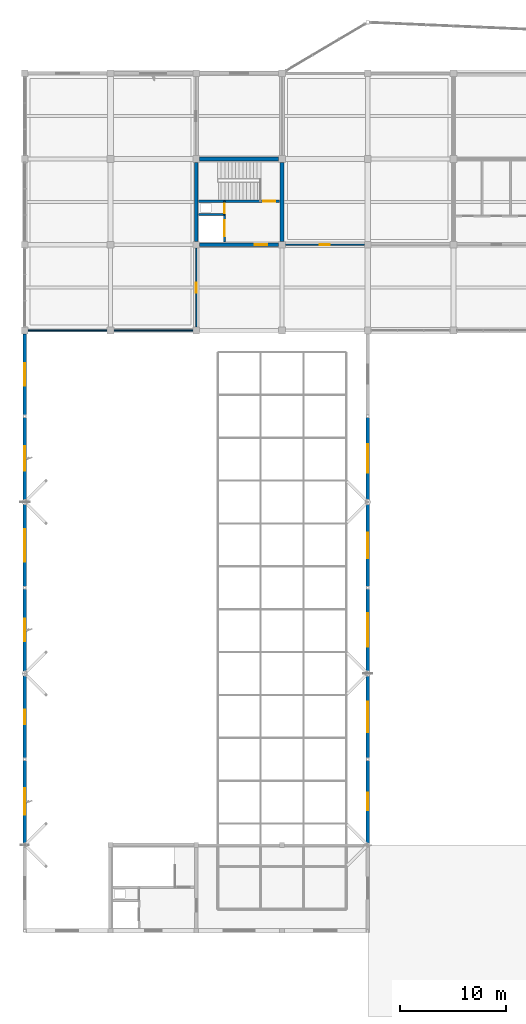
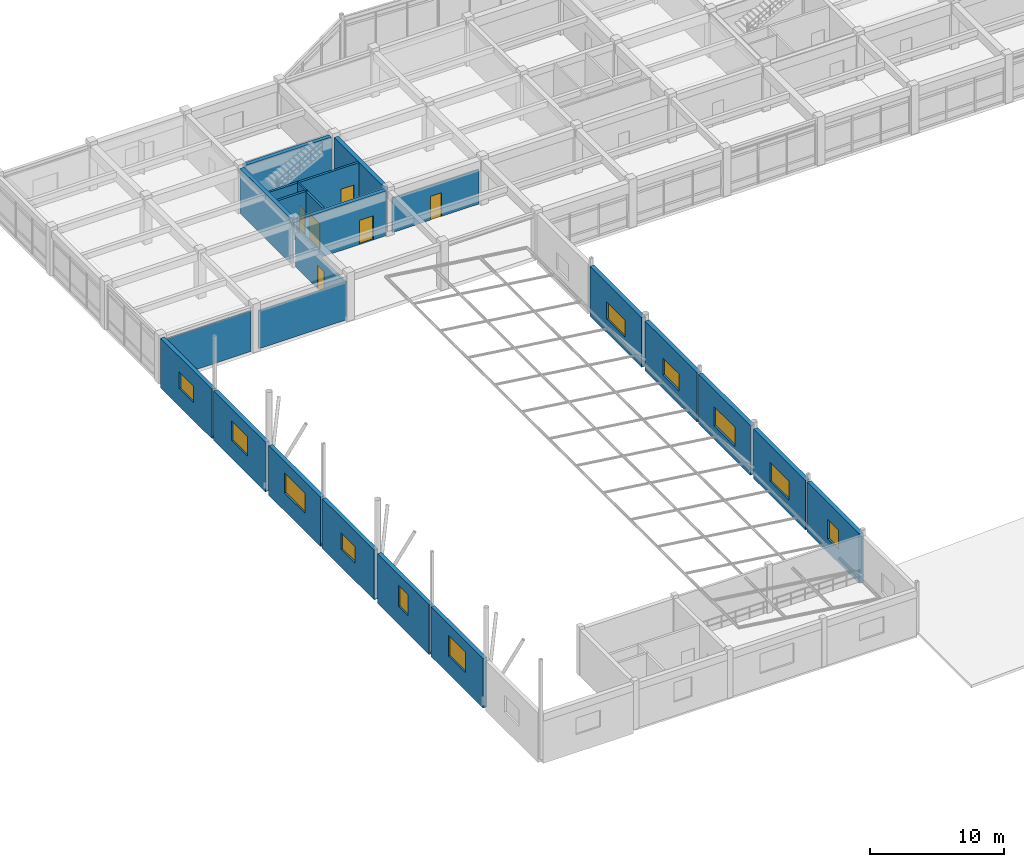
# One storey, part 66 of 89: 23 walls, 11 windows, 6 doors, 17 openings.
"""IFC4 building model written with IfcOpenShell, lengths in metres."""

import ifcopenshell
import ifcopenshell.guid

model = None  # the IFC model being written
_history = None  # IfcOwnerHistory: only IFC2X3 demands one
_inside = {}  # id of a spatial element -> (the spatial element, [elements in it])
_under = {}  # id of a project, library or spatial element -> (it, [spatial elements below it])
_declared = {}  # id of a project -> (the project, [libraries it declares])
_typed = {}  # id of a type object -> (the type object, [elements of that type])
_made_of = {}  # id of a material, layer set ... -> (it, [elements and type objects made of it])


def new_model(schema):
    """Start an empty IFC model of exactly this schema.

    Asked for "IFC4X3", IfcOpenShell would pick the latest addendum, in which some entities
    have other attributes; the version numbers below select the first issue.
    IFC2X3 requires an IfcOwnerHistory on every rooted entity: one is made here for all.
    """
    global model, _history
    if schema == "IFC4X3":
        model = ifcopenshell.file(schema_version=(4, 3, 0, 0))
    else:
        model = ifcopenshell.file(schema=schema)
    _inside.clear()
    _under.clear()
    _declared.clear()
    _typed.clear()
    _made_of.clear()
    _history = None
    if model.schema == "IFC2X3":
        org = make("IfcOrganization", Name="unknown")
        user = make(
            "IfcPersonAndOrganization",
            ThePerson=make("IfcPerson", FamilyName="unknown"),
            TheOrganization=org,
        )
        app = make(
            "IfcApplication",
            ApplicationDeveloper=org,
            Version="unknown",
            ApplicationFullName="unknown",
            ApplicationIdentifier="unknown",
        )
        _history = make(
            "IfcOwnerHistory",
            OwningUser=user,
            OwningApplication=app,
            ChangeAction="ADDED",
            CreationDate=0,
        )
    return model


def make(cls, **values):
    """One entity of the class cls with the attributes given. An attribute that is None is left unset."""
    return model.create_entity(
        cls, **{name: value for name, value in values.items() if value is not None}
    )


def rooted(cls, **values):
    """An entity with a GlobalId (a new one), such as an element, a storey or a relation."""
    return make(cls, GlobalId=ifcopenshell.guid.new(), OwnerHistory=_history, **values)


def si_unit(unit_type, name, prefix=None):
    """IfcSIUnit, for example si_unit("LENGTHUNIT", "METRE", prefix="MILLI")."""
    return make("IfcSIUnit", UnitType=unit_type, Prefix=prefix, Name=name)


def assignment(units):
    """IfcUnitAssignment: the units of a project."""
    return None if units is None else make("IfcUnitAssignment", Units=units)


def point(xyz):
    """IfcCartesianPoint."""
    return None if xyz is None else make("IfcCartesianPoint", Coordinates=xyz)


def direction(xyz):
    """IfcDirection."""
    return None if xyz is None else make("IfcDirection", DirectionRatios=xyz)


def frame(location, z_axis=None, x_axis=None):
    """IfcAxis2Placement3D, a coordinate frame: its origin and axes. An axis left out is left unset."""
    return make(
        "IfcAxis2Placement3D",
        Location=point(location),
        Axis=direction(z_axis),
        RefDirection=direction(x_axis),
    )


def frame_2d(location, x_axis=None):
    """IfcAxis2Placement2D, a coordinate frame in the plane: its origin and x axis."""
    return make(
        "IfcAxis2Placement2D", Location=point(location), RefDirection=direction(x_axis)
    )


def origin():
    """The frame at (0, 0, 0) with its axes left unset."""
    return frame((0.0, 0.0, 0.0))


def place(relative_to, where):
    """IfcLocalPlacement: puts the frame where relative to a parent placement (None: the world)."""
    return make(
        "IfcLocalPlacement", PlacementRelTo=relative_to, RelativePlacement=where
    )


def context(
    kind, dimensions, precision=None, world=None, true_north=None, identifier=None
):
    """IfcGeometricRepresentationContext, for example the 3D "Model" context."""
    return make(
        "IfcGeometricRepresentationContext",
        ContextIdentifier=identifier,
        ContextType=kind,
        CoordinateSpaceDimension=dimensions,
        Precision=precision,
        WorldCoordinateSystem=world,
        TrueNorth=true_north,
    )


def subcontext(parent, identifier, kind, view, scale=None):
    """IfcGeometricRepresentationSubContext, for example "Body" below "Model"."""
    return make(
        "IfcGeometricRepresentationSubContext",
        ContextIdentifier=identifier,
        ContextType=kind,
        ParentContext=parent,
        TargetScale=scale,
        TargetView=view,
    )


def project(units=None, contexts=None):
    """IfcProject with its units and contexts."""
    return rooted(
        "IfcProject",
        Name="project",
        RepresentationContexts=contexts,
        UnitsInContext=assignment(units),
    )


def spatial(cls, under=None, at=None, **own):
    """A site, building, storey or space (cls), placed at a placement, below another one or the project."""
    s = rooted(cls, ObjectPlacement=at, **own)
    if under is not None:
        _under.setdefault(under.id(), (under, []))[1].append(s)
    return s


def profile(cls, at=None, kind="AREA", **sizes):
    """A parametric profile (cls). Its sizes go by their IFC names, for example OverallWidth=200.0."""
    return make(cls, ProfileType=kind, Position=at, **sizes)


def rectangle(**sizes):
    """IfcRectangleProfileDef."""
    return profile("IfcRectangleProfileDef", **sizes)


def extrude(swept, where, along, depth):
    """IfcExtrudedAreaSolid: the profile swept, set in the frame where, extruded along a direction by depth."""
    return make(
        "IfcExtrudedAreaSolid",
        SweptArea=swept,
        Position=where,
        ExtrudedDirection=direction(along),
        Depth=depth,
    )


def shape(context_of_items, identifier, shape_type, items):
    """IfcShapeRepresentation: the items that make up one representation, for example the "Body"."""
    return make(
        "IfcShapeRepresentation",
        ContextOfItems=context_of_items,
        RepresentationIdentifier=identifier,
        RepresentationType=shape_type,
        Items=items,
    )


def material(Name=None, Category=None):
    """IfcMaterial."""
    return make("IfcMaterial", Name=Name, Category=Category)


def layer(
    of_material, thickness, ventilated=None, Name=None, Category=None, Priority=None
):
    """IfcMaterialLayer: one layer of a wall or slab, of a material (None: an air gap)."""
    return make(
        "IfcMaterialLayer",
        Material=of_material,
        LayerThickness=thickness,
        IsVentilated=ventilated,
        Name=Name,
        Category=Category,
        Priority=Priority,
    )


def layer_set(layers, Name=None):
    """IfcMaterialLayerSet."""
    return make("IfcMaterialLayerSet", MaterialLayers=layers, LayerSetName=Name)


def made_of(thing, what):
    """Note that an element or type object is made of a material, layer set ...; save() writes the relation."""
    if what is not None:
        _made_of.setdefault(what.id(), (what, []))[1].append(thing)
    return thing


def type_object(cls, material=None, **own):
    """A type object (cls), such as IfcWallType, which elements share."""
    return made_of(rooted(cls, **own), material)


def element(
    cls,
    number,
    at=None,
    inside=None,
    cuts=None,
    type_object=None,
    material=None,
    context=None,
    identifier="Body",
    shape_type=None,
    held_by="IfcProductDefinitionShape",
    body=None,
    shapes=None,
    **own,
):
    """One element of the class cls, such as IfcWall. Its Tag is "e" and its number.

    at: its placement. inside: the storey or other place that contains it. cuts: it is an
    opening in that element (IfcRelVoidsElement). A single representation is given by context,
    identifier, shape_type and body (its items); several are given by shapes. held_by: the class
    of the entity that holds the representations. save() writes the other relations.
    """
    e = rooted(cls, Tag="e%d" % number, ObjectPlacement=at, **own)
    if body is not None:
        shapes = [shape(context, identifier, shape_type, body)]
    if shapes is not None:
        e.Representation = make(held_by, Representations=shapes)
    if inside is not None:
        _inside.setdefault(inside.id(), (inside, []))[1].append(e)
    if cuts is not None:
        rooted(
            "IfcRelVoidsElement", RelatingBuildingElement=cuts, RelatedOpeningElement=e
        )
    if type_object is not None:
        _typed.setdefault(type_object.id(), (type_object, []))[1].append(e)
    return made_of(e, material)


def fill(opening, filler):
    """IfcRelFillsElement: the door or window that sits in an opening."""
    return rooted(
        "IfcRelFillsElement",
        RelatingOpeningElement=opening,
        RelatedBuildingElement=filler,
    )


def aggregate(whole, parts):
    """IfcRelAggregates: a whole, such as a stair, and the parts it consists of."""
    return rooted("IfcRelAggregates", RelatingObject=whole, RelatedObjects=parts)


def save(model, path):
    """Write the relations noted so far, then the file.

    IfcRelAggregates (storeys below a building ...), IfcRelContainedInSpatialStructure (elements
    in a storey), IfcRelDefinesByType, IfcRelAssociatesMaterial and IfcRelDeclares: one each for
    every whole, place, type object, material and project.
    """
    for whole, parts in _under.values():
        aggregate(whole, parts)
    for where, things in _inside.values():
        rooted(
            "IfcRelContainedInSpatialStructure",
            RelatedElements=things,
            RelatingStructure=where,
        )
    for kind, things in _typed.values():
        rooted("IfcRelDefinesByType", RelatedObjects=things, RelatingType=kind)
    for what, things in _made_of.values():
        rooted("IfcRelAssociatesMaterial", RelatedObjects=things, RelatingMaterial=what)
    for by, libraries in _declared.values():
        rooted("IfcRelDeclares", RelatingContext=by, RelatedDefinitions=libraries)
    model.write(path)


model = new_model("IFC4")

# Units and contexts
model_context = context("Model", 3, precision=1e-05, world=origin(), true_north=direction((0.0, 1.0)))
body_context = subcontext(model_context, "Body", "Model", "MODEL_VIEW")
ifc_project = project(units=[si_unit("LENGTHUNIT", "METRE"), si_unit("AREAUNIT", "SQUARE_METRE"), si_unit("VOLUMEUNIT", "CUBIC_METRE"), si_unit("PLANEANGLEUNIT", "RADIAN"), si_unit("MASSUNIT", "GRAM", prefix="KILO")], contexts=[model_context])

# Site, building, storey
site_placement = place(None, origin())
site = spatial("IfcSite", under=ifc_project, at=site_placement, CompositionType="ELEMENT")
building_placement = place(site_placement, origin())
building = spatial("IfcBuilding", under=site, at=building_placement, Name="Vaudrelin Polytechnic", CompositionType="ELEMENT")
storey_placement = place(building_placement, frame((0.0, 0.0, 9.68994140625)))
storey = spatial("IfcBuildingStorey", under=building, at=storey_placement, Name="L02", CompositionType="ELEMENT", Elevation=9.68994140625)

# Wall, opening, window
ifc_material_1 = material(Name="Insulated precast concrete sandwich panel 40 MPa", Category="concrete")
ifc_layer_1 = layer(ifc_material_1, 0.340087890625)
ifc_layer_set_1 = layer_set([ifc_layer_1], Name="Insulated precast concrete sandwich panel 40 MPa")
wall_type_1 = type_object("IfcWallType", Name="WAL-EW-IND340", PredefinedType="STANDARD", material=ifc_layer_set_1)
wall_1_placement = place(storey_placement, frame((0.0, 48.801025390625, -0.3798828125), z_axis=(0.0, 0.0, 1.0), x_axis=(0.0, 1.0, 0.0)))
wall_1 = element("IfcWall", 1, at=wall_1_placement, inside=storey, type_object=wall_type_1, Name="Exterior wall L02 W_V1_01", PredefinedType="STANDARD", context=body_context, shape_type="SweptSolid", body=[
    extrude(rectangle(XDim=7.77392578125, YDim=0.340087890625, at=frame_2d((3.886962890625, 0.0))), origin(), (0.0, 0.0, 1.0), 4.52197265625),
])
opening_1_placement = place(wall_1_placement, frame((2.636962890625, 0.0, 1.6298828125)))
opening_1 = element("IfcOpeningElement", 2, at=opening_1_placement, cuts=wall_1, Name="Opening W-L02-W-V1-02", PredefinedType="OPENING", context=body_context, shape_type="SweptSolid", body=[
    extrude(rectangle(XDim=2.5, YDim=1.89990234375, at=frame_2d((1.25, 0.949951171875))), frame((0.0, 0.18017578125, 0.0), z_axis=(0.0, -1.0, 0.0), x_axis=(1.0, 0.0, 0.0)), (0.0, 0.0, 1.0), 0.360107421875),
])
ifc_material_2 = material(Name="Thermally broken aluminium frame with triple low-e glazing", Category="aluminium")
window_type_1 = type_object("IfcWindowType", Name="WIN-WN-27", PartitioningType="SINGLE_PANEL", PredefinedType="WINDOW", material=ifc_material_2)
window_1_placement = place(opening_1_placement, origin())
window_1 = element("IfcWindow", 3, at=window_1_placement, inside=storey, type_object=window_type_1, Name="Facade window L02-W_V1_01", OverallHeight=1.89990234375, OverallWidth=2.5, PartitioningType="SINGLE_PANEL", PredefinedType="WINDOW", context=body_context, shape_type="SweptSolid", body=[
    extrude(rectangle(XDim=2.5, YDim=1.89990234375, at=frame_2d((1.25, 0.949951171875))), frame((0.0, 0.030029296875, 0.0), z_axis=(0.0, -1.0, 0.0), x_axis=(1.0, 0.0, 0.0)), (0.0, 0.0, 1.0), 0.06005859375),
])
fill(opening_1, window_1)

wall_2_placement = place(storey_placement, frame((0.0, 56.824951171875, -0.3798828125), z_axis=(0.0, 0.0, 1.0), x_axis=(0.0, 1.0, 0.0)))
wall_2 = element("IfcWall", 4, at=wall_2_placement, inside=storey, type_object=wall_type_1, Name="Exterior wall L02 W_V1_02", PredefinedType="STANDARD", context=body_context, shape_type="SweptSolid", body=[
    extrude(rectangle(XDim=7.72314453125, YDim=0.340087890625, at=frame_2d((3.861572265625, 0.0))), origin(), (0.0, 0.0, 1.0), 4.52197265625),
])
opening_2_placement = place(wall_2_placement, frame((3.16162109375, 0.0, 1.6298828125)))
opening_2 = element("IfcOpeningElement", 5, at=opening_2_placement, cuts=wall_2, Name="Opening W-L02-W-V1-03", PredefinedType="OPENING", context=body_context, shape_type="SweptSolid", body=[
    extrude(rectangle(XDim=1.39990234375, YDim=1.89990234375, at=frame_2d((0.699951171875, 0.949951171875))), frame((0.0, 0.18017578125, 0.0), z_axis=(0.0, -1.0, 0.0), x_axis=(1.0, 0.0, 0.0)), (0.0, 0.0, 1.0), 0.360107421875),
])
window_type_2 = type_object("IfcWindowType", Name="WIN-WN-28", PartitioningType="SINGLE_PANEL", PredefinedType="WINDOW", material=ifc_material_2)
window_2_placement = place(opening_2_placement, origin())
window_2 = element("IfcWindow", 6, at=window_2_placement, inside=storey, type_object=window_type_2, Name="Facade window L02-W_V1_02", OverallHeight=1.89990234375, OverallWidth=1.39990234375, PartitioningType="SINGLE_PANEL", PredefinedType="WINDOW", context=body_context, shape_type="SweptSolid", body=[
    extrude(rectangle(XDim=1.39990234375, YDim=1.89990234375, at=frame_2d((0.699951171875, 0.949951171875))), frame((0.0, 0.030029296875, 0.0), z_axis=(0.0, -1.0, 0.0), x_axis=(1.0, 0.0, 0.0)), (0.0, 0.0, 1.0), 0.06005859375),
])
fill(opening_2, window_2)

wall_3_placement = place(storey_placement, frame((0.0, 65.052001953125, -0.3798828125), z_axis=(0.0, 0.0, 1.0), x_axis=(0.0, 1.0, 0.0)))
wall_3 = element("IfcWall", 7, at=wall_3_placement, inside=storey, type_object=wall_type_1, Name="Exterior wall L02 W_V1_03", PredefinedType="STANDARD", context=body_context, shape_type="SweptSolid", body=[
    extrude(rectangle(XDim=7.722900390625, YDim=0.340087890625, at=frame_2d((3.861328125, 0.0))), origin(), (0.0, 0.0, 1.0), 4.52197265625),
])
opening_3_placement = place(wall_3_placement, frame((2.8115234375, 0.0, 1.6298828125)))
opening_3 = element("IfcOpeningElement", 8, at=opening_3_placement, cuts=wall_3, Name="Opening W-L02-W-V1-04", PredefinedType="OPENING", context=body_context, shape_type="SweptSolid", body=[
    extrude(rectangle(XDim=2.10009765625, YDim=1.5, at=frame_2d((1.050048828125, 0.75))), frame((0.0, 0.18017578125, 0.0), z_axis=(0.0, -1.0, 0.0), x_axis=(1.0, 0.0, 0.0)), (0.0, 0.0, 1.0), 0.360107421875),
])
window_type_3 = type_object("IfcWindowType", Name="WIN-WN-05", PartitioningType="SINGLE_PANEL", PredefinedType="WINDOW", material=ifc_material_2)
window_3_placement = place(opening_3_placement, origin())
window_3 = element("IfcWindow", 9, at=window_3_placement, inside=storey, type_object=window_type_3, Name="Facade window L02-W_V1_03", OverallHeight=1.5, OverallWidth=2.10009765625, PartitioningType="SINGLE_PANEL", PredefinedType="WINDOW", context=body_context, shape_type="SweptSolid", body=[
    extrude(rectangle(XDim=2.10009765625, YDim=1.5, at=frame_2d((1.050048828125, 0.75))), frame((0.0, 0.030029296875, 0.0), z_axis=(0.0, -1.0, 0.0), x_axis=(1.0, 0.0, 0.0)), (0.0, 0.0, 1.0), 0.06005859375),
])
fill(opening_3, window_3)

wall_4_placement = place(storey_placement, frame((0.0, 73.02490234375, -0.3798828125), z_axis=(0.0, 0.0, 1.0), x_axis=(0.0, 1.0, 0.0)))
wall_4 = element("IfcWall", 10, at=wall_4_placement, inside=storey, type_object=wall_type_1, Name="Exterior wall L02 W_V1_04", PredefinedType="STANDARD", context=body_context, shape_type="SweptSolid", body=[
    extrude(rectangle(XDim=7.72314453125, YDim=0.340087890625, at=frame_2d((3.861572265625, 0.0))), origin(), (0.0, 0.0, 1.0), 4.52197265625),
])
opening_4_placement = place(wall_4_placement, frame((2.33642578125, 0.0, 1.6298828125)))
opening_4 = element("IfcOpeningElement", 11, at=opening_4_placement, cuts=wall_4, Name="Opening W-L02-W-V1-05", PredefinedType="OPENING", context=body_context, shape_type="SweptSolid", body=[
    extrude(rectangle(XDim=3.050048828125, YDim=1.85009765625, at=frame_2d((1.52490234375, 0.925048828125))), frame((0.0, 0.18017578125, 0.0), z_axis=(0.0, -1.0, 0.0), x_axis=(1.0, 0.0, 0.0)), (0.0, 0.0, 1.0), 0.360107421875),
])
window_type_4 = type_object("IfcWindowType", Name="WIN-WN-30", PartitioningType="SINGLE_PANEL", PredefinedType="WINDOW", material=ifc_material_2)
window_4_placement = place(opening_4_placement, origin())
window_4 = element("IfcWindow", 12, at=window_4_placement, inside=storey, type_object=window_type_4, Name="Facade window L02-W_V1_04", OverallHeight=1.85009765625, OverallWidth=3.050048828125, PartitioningType="SINGLE_PANEL", PredefinedType="WINDOW", context=body_context, shape_type="SweptSolid", body=[
    extrude(rectangle(XDim=3.050048828125, YDim=1.85009765625, at=frame_2d((1.52490234375, 0.925048828125))), frame((0.0, 0.030029296875, 0.0), z_axis=(0.0, -1.0, 0.0), x_axis=(1.0, 0.0, 0.0)), (0.0, 0.0, 1.0), 0.06005859375),
])
fill(opening_4, window_4)

wall_5_placement = place(storey_placement, frame((0.0, 81.251953125, -0.3798828125), z_axis=(0.0, 0.0, 1.0), x_axis=(0.0, 1.0, 0.0)))
wall_5 = element("IfcWall", 13, at=wall_5_placement, inside=storey, type_object=wall_type_1, Name="Exterior wall L02 W_V1_05", PredefinedType="STANDARD", context=body_context, shape_type="SweptSolid", body=[
    extrude(rectangle(XDim=7.72314453125, YDim=0.340087890625, at=frame_2d((3.861572265625, 0.0))), origin(), (0.0, 0.0, 1.0), 4.52197265625),
])
opening_5_placement = place(wall_5_placement, frame((2.6865234375, 0.0, 1.6298828125)))
opening_5 = element("IfcOpeningElement", 14, at=opening_5_placement, cuts=wall_5, Name="Opening W-L02-W-V1-06", PredefinedType="OPENING", context=body_context, shape_type="SweptSolid", body=[
    extrude(rectangle(XDim=2.35009765625, YDim=1.800048828125, at=frame_2d((1.175048828125, 0.89990234375))), frame((0.0, 0.18017578125, 0.0), z_axis=(0.0, -1.0, 0.0), x_axis=(1.0, 0.0, 0.0)), (0.0, 0.0, 1.0), 0.360107421875),
])
window_type_5 = type_object("IfcWindowType", Name="WIN-WN-31", PartitioningType="SINGLE_PANEL", PredefinedType="WINDOW", material=ifc_material_2)
window_5_placement = place(opening_5_placement, origin())
window_5 = element("IfcWindow", 15, at=window_5_placement, inside=storey, type_object=window_type_5, Name="Facade window L02-W_V1_05", OverallHeight=1.800048828125, OverallWidth=2.35009765625, PartitioningType="SINGLE_PANEL", PredefinedType="WINDOW", context=body_context, shape_type="SweptSolid", body=[
    extrude(rectangle(XDim=2.35009765625, YDim=1.800048828125, at=frame_2d((1.175048828125, 0.89990234375))), frame((0.0, 0.030029296875, 0.0), z_axis=(0.0, -1.0, 0.0), x_axis=(1.0, 0.0, 0.0)), (0.0, 0.0, 1.0), 0.06005859375),
])
fill(opening_5, window_5)

wall_6_placement = place(storey_placement, frame((0.0, 89.22509765625, -0.3798828125), z_axis=(0.0, 0.0, 1.0), x_axis=(0.0, 1.0, 0.0)))
wall_6 = element("IfcWall", 16, at=wall_6_placement, inside=storey, type_object=wall_type_1, Name="Exterior wall L02 W_V1_06", PredefinedType="STANDARD", context=body_context, shape_type="SweptSolid", body=[
    extrude(rectangle(XDim=7.65185546875, YDim=0.340087890625, at=frame_2d((3.825927734375, 0.0))), origin(), (0.0, 0.0, 1.0), 4.52197265625),
])
opening_6_placement = place(wall_6_placement, frame((2.77587890625, 0.0, 1.6298828125)))
opening_6 = element("IfcOpeningElement", 17, at=opening_6_placement, cuts=wall_6, Name="Opening W-L02-W-V1-07", PredefinedType="OPENING", context=body_context, shape_type="SweptSolid", body=[
    extrude(rectangle(XDim=2.10009765625, YDim=1.5, at=frame_2d((1.050048828125, 0.75))), frame((0.0, 0.18017578125, 0.0), z_axis=(0.0, -1.0, 0.0), x_axis=(1.0, 0.0, 0.0)), (0.0, 0.0, 1.0), 0.360107421875),
])
window_6_placement = place(opening_6_placement, origin())
window_6 = element("IfcWindow", 18, at=window_6_placement, inside=storey, type_object=window_type_3, Name="Facade window L02-W_V1_06", OverallHeight=1.5, OverallWidth=2.10009765625, PartitioningType="SINGLE_PANEL", PredefinedType="WINDOW", context=body_context, shape_type="SweptSolid", body=[
    extrude(rectangle(XDim=2.10009765625, YDim=1.5, at=frame_2d((1.050048828125, 0.75))), frame((0.0, 0.030029296875, 0.0), z_axis=(0.0, -1.0, 0.0), x_axis=(1.0, 0.0, 0.0)), (0.0, 0.0, 1.0), 0.06005859375),
])
fill(opening_6, window_6)

ifc_material_3 = material(Name="Precast concrete 35 MPa with standing-seam zinc rainscreen", Category="concrete")
ifc_layer_2 = layer(ifc_material_3, 0.360107421875)
ifc_layer_set_2 = layer_set([ifc_layer_2], Name="Precast concrete 35 MPa with standing-seam zinc rainscreen")
wall_type_2 = type_object("IfcWallType", Name="WAL-EW-ZINC360", PredefinedType="STANDARD", material=ifc_layer_set_2)
wall_7_placement = place(storey_placement, frame((32.39990234375, 48.801025390625, -0.3798828125), z_axis=(0.0, 0.0, 1.0), x_axis=(0.0, 1.0, 0.0)))
wall_7 = element("IfcWall", 19, at=wall_7_placement, inside=storey, type_object=wall_type_2, Name="Exterior wall L02 CT_W_01", PredefinedType="STANDARD", context=body_context, shape_type="SweptSolid", body=[
    extrude(rectangle(XDim=7.77392578125, YDim=0.360107421875, at=frame_2d((3.886962890625, 0.0))), origin(), (0.0, 0.0, 1.0), 4.52197265625),
])
opening_7_placement = place(wall_7_placement, frame((3.06201171875, 0.0, 1.22998046875)))
opening_7 = element("IfcOpeningElement", 20, at=opening_7_placement, cuts=wall_7, Name="Opening W-L02-CT-W-02", PredefinedType="OPENING", context=body_context, shape_type="SweptSolid", body=[
    extrude(rectangle(XDim=1.64990234375, YDim=1.75, at=frame_2d((0.824951171875, 0.875))), frame((0.0, 0.18994140625, 0.0), z_axis=(0.0, -1.0, 0.0), x_axis=(1.0, 0.0, 0.0)), (0.0, 0.0, 1.0), 0.380126953125),
])
window_type_6 = type_object("IfcWindowType", Name="WIN-WN-18", PartitioningType="SINGLE_PANEL", PredefinedType="WINDOW", material=ifc_material_2)
window_7_placement = place(opening_7_placement, origin())
window_7 = element("IfcWindow", 21, at=window_7_placement, inside=storey, type_object=window_type_6, Name="Facade window L02-CT_W_01", OverallHeight=1.75, OverallWidth=1.64990234375, PartitioningType="SINGLE_PANEL", PredefinedType="WINDOW", context=body_context, shape_type="SweptSolid", body=[
    extrude(rectangle(XDim=1.64990234375, YDim=1.75, at=frame_2d((0.824951171875, 0.875))), frame((0.0, 0.030029296875, 0.0), z_axis=(0.0, -1.0, 0.0), x_axis=(1.0, 0.0, 0.0)), (0.0, 0.0, 1.0), 0.06005859375),
])
fill(opening_7, window_7)

wall_8_placement = place(storey_placement, frame((32.39990234375, 56.824951171875, -0.3798828125), z_axis=(0.0, 0.0, 1.0), x_axis=(0.0, 1.0, 0.0)))
wall_8 = element("IfcWall", 22, at=wall_8_placement, inside=storey, type_object=wall_type_2, Name="Exterior wall L02 CT_W_02", PredefinedType="STANDARD", context=body_context, shape_type="SweptSolid", body=[
    extrude(rectangle(XDim=7.72314453125, YDim=0.360107421875, at=frame_2d((3.861572265625, 0.0))), origin(), (0.0, 0.0, 1.0), 4.52197265625),
])
opening_8_placement = place(wall_8_placement, frame((2.4365234375, 0.0, 1.22998046875)))
opening_8 = element("IfcOpeningElement", 23, at=opening_8_placement, cuts=wall_8, Name="Opening W-L02-CT-W-03", PredefinedType="OPENING", context=body_context, shape_type="SweptSolid", body=[
    extrude(rectangle(XDim=2.85009765625, YDim=1.75, at=frame_2d((1.425048828125, 0.875))), frame((0.0, 0.18994140625, 0.0), z_axis=(0.0, -1.0, 0.0), x_axis=(1.0, 0.0, 0.0)), (0.0, 0.0, 1.0), 0.380126953125),
])
window_type_7 = type_object("IfcWindowType", Name="WIN-WN-19", PartitioningType="SINGLE_PANEL", PredefinedType="WINDOW", material=ifc_material_2)
window_8_placement = place(opening_8_placement, origin())
window_8 = element("IfcWindow", 24, at=window_8_placement, inside=storey, type_object=window_type_7, Name="Facade window L02-CT_W_02", OverallHeight=1.75, OverallWidth=2.85009765625, PartitioningType="SINGLE_PANEL", PredefinedType="WINDOW", context=body_context, shape_type="SweptSolid", body=[
    extrude(rectangle(XDim=2.85009765625, YDim=1.75, at=frame_2d((1.425048828125, 0.875))), frame((0.0, 0.030029296875, 0.0), z_axis=(0.0, -1.0, 0.0), x_axis=(1.0, 0.0, 0.0)), (0.0, 0.0, 1.0), 0.06005859375),
])
fill(opening_8, window_8)

wall_9_placement = place(storey_placement, frame((32.39990234375, 65.052001953125, -0.3798828125), z_axis=(0.0, 0.0, 1.0), x_axis=(0.0, 1.0, 0.0)))
wall_9 = element("IfcWall", 25, at=wall_9_placement, inside=storey, type_object=wall_type_2, Name="Exterior wall L02 CT_W_03", PredefinedType="STANDARD", context=body_context, shape_type="SweptSolid", body=[
    extrude(rectangle(XDim=7.722900390625, YDim=0.360107421875, at=frame_2d((3.861328125, 0.0))), origin(), (0.0, 0.0, 1.0), 4.52197265625),
])
opening_9_placement = place(wall_9_placement, frame((2.28662109375, 0.0, 1.22998046875)))
opening_9 = element("IfcOpeningElement", 26, at=opening_9_placement, cuts=wall_9, Name="Opening W-L02-CT-W-04", PredefinedType="OPENING", context=body_context, shape_type="SweptSolid", body=[
    extrude(rectangle(XDim=3.14990234375, YDim=1.75, at=frame_2d((1.574951171875, 0.875))), frame((0.0, 0.18994140625, 0.0), z_axis=(0.0, -1.0, 0.0), x_axis=(1.0, 0.0, 0.0)), (0.0, 0.0, 1.0), 0.380126953125),
])
window_type_8 = type_object("IfcWindowType", Name="WIN-WN-20", PartitioningType="SINGLE_PANEL", PredefinedType="WINDOW", material=ifc_material_2)
window_9_placement = place(opening_9_placement, origin())
window_9 = element("IfcWindow", 27, at=window_9_placement, inside=storey, type_object=window_type_8, Name="Facade window L02-CT_W_03", OverallHeight=1.75, OverallWidth=3.14990234375, PartitioningType="SINGLE_PANEL", PredefinedType="WINDOW", context=body_context, shape_type="SweptSolid", body=[
    extrude(rectangle(XDim=3.14990234375, YDim=1.75, at=frame_2d((1.574951171875, 0.875))), frame((0.0, 0.030029296875, 0.0), z_axis=(0.0, -1.0, 0.0), x_axis=(1.0, 0.0, 0.0)), (0.0, 0.0, 1.0), 0.06005859375),
])
fill(opening_9, window_9)

wall_10_placement = place(storey_placement, frame((32.39990234375, 73.02490234375, -0.3798828125), z_axis=(0.0, 0.0, 1.0), x_axis=(0.0, 1.0, 0.0)))
wall_10 = element("IfcWall", 28, at=wall_10_placement, inside=storey, type_object=wall_type_2, Name="Exterior wall L02 CT_W_04", PredefinedType="STANDARD", context=body_context, shape_type="SweptSolid", body=[
    extrude(rectangle(XDim=7.72314453125, YDim=0.360107421875, at=frame_2d((3.861572265625, 0.0))), origin(), (0.0, 0.0, 1.0), 4.52197265625),
])
opening_10_placement = place(wall_10_placement, frame((2.66162109375, 0.0, 1.22998046875)))
opening_10 = element("IfcOpeningElement", 29, at=opening_10_placement, cuts=wall_10, Name="Opening W-L02-CT-W-05", PredefinedType="OPENING", context=body_context, shape_type="SweptSolid", body=[
    extrude(rectangle(XDim=2.39990234375, YDim=1.550048828125, at=frame_2d((1.199951171875, 0.77490234375))), frame((0.0, 0.18994140625, 0.0), z_axis=(0.0, -1.0, 0.0), x_axis=(1.0, 0.0, 0.0)), (0.0, 0.0, 1.0), 0.380126953125),
])
window_type_9 = type_object("IfcWindowType", Name="WIN-WN-21", PartitioningType="SINGLE_PANEL", PredefinedType="WINDOW", material=ifc_material_2)
window_10_placement = place(opening_10_placement, origin())
window_10 = element("IfcWindow", 30, at=window_10_placement, inside=storey, type_object=window_type_9, Name="Facade window L02-CT_W_04", OverallHeight=1.550048828125, OverallWidth=2.39990234375, PartitioningType="SINGLE_PANEL", PredefinedType="WINDOW", context=body_context, shape_type="SweptSolid", body=[
    extrude(rectangle(XDim=2.39990234375, YDim=1.550048828125, at=frame_2d((1.199951171875, 0.77490234375))), frame((0.0, 0.030029296875, 0.0), z_axis=(0.0, -1.0, 0.0), x_axis=(1.0, 0.0, 0.0)), (0.0, 0.0, 1.0), 0.06005859375),
])
fill(opening_10, window_10)

wall_11_placement = place(storey_placement, frame((32.39990234375, 81.251953125, -0.3798828125), z_axis=(0.0, 0.0, 1.0), x_axis=(0.0, 1.0, 0.0)))
wall_11 = element("IfcWall", 31, at=wall_11_placement, inside=storey, type_object=wall_type_2, Name="Exterior wall L02 CT_W_05", PredefinedType="STANDARD", context=body_context, shape_type="SweptSolid", body=[
    extrude(rectangle(XDim=7.72314453125, YDim=0.360107421875, at=frame_2d((3.861572265625, 0.0))), origin(), (0.0, 0.0, 1.0), 4.52197265625),
])
opening_11_placement = place(wall_11_placement, frame((2.511474609375, 0.0, 1.22998046875)))
opening_11 = element("IfcOpeningElement", 32, at=opening_11_placement, cuts=wall_11, Name="Opening W-L02-CT-W-06", PredefinedType="OPENING", context=body_context, shape_type="SweptSolid", body=[
    extrude(rectangle(XDim=2.699951171875, YDim=1.550048828125, at=frame_2d((1.35009765625, 0.77490234375))), frame((0.0, 0.18994140625, 0.0), z_axis=(0.0, -1.0, 0.0), x_axis=(1.0, 0.0, 0.0)), (0.0, 0.0, 1.0), 0.380126953125),
])
window_type_10 = type_object("IfcWindowType", Name="WIN-WN-22", PartitioningType="SINGLE_PANEL", PredefinedType="WINDOW", material=ifc_material_2)
window_11_placement = place(opening_11_placement, origin())
window_11 = element("IfcWindow", 33, at=window_11_placement, inside=storey, type_object=window_type_10, Name="Facade window L02-CT_W_05", OverallHeight=1.550048828125, OverallWidth=2.699951171875, PartitioningType="SINGLE_PANEL", PredefinedType="WINDOW", context=body_context, shape_type="SweptSolid", body=[
    extrude(rectangle(XDim=2.699951171875, YDim=1.550048828125, at=frame_2d((1.35009765625, 0.77490234375))), frame((0.0, 0.030029296875, 0.0), z_axis=(0.0, -1.0, 0.0), x_axis=(1.0, 0.0, 0.0)), (0.0, 0.0, 1.0), 0.06005859375),
])
fill(opening_11, window_11)

# Wall, opening, door
ifc_material_4 = material(Name="Fire-rated steel-stud gypsum compartment wall", Category="steel")
ifc_layer_3 = layer(ifc_material_4, 0.14990234375)
ifc_layer_set_3 = layer_set([ifc_layer_3], Name="Fire-rated steel-stud gypsum compartment wall")
wall_type_3 = type_object("IfcWallType", Name="WAL-PW-FIRE60", PredefinedType="PARTITIONING", material=ifc_layer_set_3)
wall_12_placement = place(storey_placement, frame((18.8798828125, 108.14990234375, 0.0), z_axis=(0.0, 0.0, 1.0), x_axis=(0.0, 1.0, 0.0)))
wall_12 = element("IfcWall", 34, at=wall_12_placement, inside=storey, type_object=wall_type_3, Name="Core C1 riser enclosure wall L02", PredefinedType="PARTITIONING", context=body_context, shape_type="SweptSolid", body=[
    extrude(rectangle(XDim=1.260009765625, YDim=0.14990234375, at=frame_2d((0.6298828125, 0.0))), origin(), (0.0, 0.0, 1.0), 4.08203125),
])
opening_12_placement = place(wall_12_placement, frame((0.139892578125, 0.0, 0.0)))
opening_12 = element("IfcOpeningElement", 35, at=opening_12_placement, cuts=wall_12, Name="Opening D-L02-013", PredefinedType="OPENING", context=body_context, shape_type="SweptSolid", body=[
    extrude(rectangle(XDim=0.89990234375, YDim=2.14990234375, at=frame_2d((0.449951171875, 1.074951171875))), frame((0.0, 0.0849609375, 0.0), z_axis=(0.0, -1.0, 0.0), x_axis=(1.0, 0.0, 0.0)), (0.0, 0.0, 1.0), 0.169921875),
])
ifc_material_5 = material(Name="Pressed galvanised steel acoustic leaf", Category="steel")
door_type_1 = type_object("IfcDoorType", Name="DOR-ID-RSR1", OperationType="NOTDEFINED", PredefinedType="DOOR", material=ifc_material_5)
door_1_placement = place(opening_12_placement, origin())
door_1 = element("IfcDoor", 36, at=door_1_placement, inside=storey, type_object=door_type_1, Name="Core C1 riser access door L02", OperationType="SINGLE_SWING_RIGHT", OverallHeight=2.14990234375, OverallWidth=0.89990234375, PredefinedType="DOOR", context=body_context, shape_type="SweptSolid", body=[
    extrude(rectangle(XDim=0.89990234375, YDim=2.14990234375, at=frame_2d((0.449951171875, 1.074951171875))), frame((0.0, 0.02490234375, 0.0), z_axis=(0.0, -1.0, 0.0), x_axis=(1.0, 0.0, 0.0)), (0.0, 0.0, 1.0), 0.050048828125),
])
fill(opening_12, door_1)

ifc_material_6 = material(Name="Acoustic steel-stud office & study room partition", Category="steel")
ifc_layer_4 = layer(ifc_material_6, 0.135009765625)
ifc_layer_set_4 = layer_set([ifc_layer_4], Name="Acoustic steel-stud office & study room partition")
wall_type_4 = type_object("IfcWallType", Name="WAL-PW-OFF135", PredefinedType="PARTITIONING", material=ifc_layer_set_4)
wall_13_placement = place(storey_placement, frame((16.199951171875, 97.52294921875, 0.0), z_axis=(0.0, 0.0, 1.0), x_axis=(0.0, 1.0, 0.0)))
wall_13 = element("IfcWall", 37, at=wall_13_placement, inside=storey, type_object=wall_type_4, Name="Partition L02-007 E", PredefinedType="PARTITIONING", context=body_context, shape_type="SweptSolid", body=[
    extrude(rectangle(XDim=7.4541015625, YDim=0.135009765625, at=frame_2d((3.72705078125, 0.0))), origin(), (0.0, 0.0, 1.0), 3.132080078125),
])
opening_13_placement = place(wall_13_placement, frame((3.2470703125, 0.0, 0.0)))
opening_13 = element("IfcOpeningElement", 38, at=opening_13_placement, cuts=wall_13, Name="Opening D-L02-474", PredefinedType="OPENING", context=body_context, shape_type="SweptSolid", body=[
    extrude(rectangle(XDim=0.9599609375, YDim=2.14990234375, at=frame_2d((0.47998046875, 1.074951171875))), frame((0.0, 0.07763671875, 0.0), z_axis=(0.0, -1.0, 0.0), x_axis=(1.0, 0.0, 0.0)), (0.0, 0.0, 1.0), 0.155029296875),
])
ifc_material_7 = material(Name="Solid-core birch veneer acoustic leaf", Category="wood")
door_type_2 = type_object("IfcDoorType", Name="DOR-ID-OFF2", OperationType="NOTDEFINED", PredefinedType="DOOR", material=ifc_material_7)
door_2_placement = place(opening_13_placement, origin())
door_2 = element("IfcDoor", 39, at=door_2_placement, inside=storey, type_object=door_type_2, Name="Technical Library Main Reading Hall door L02-007", OperationType="SINGLE_SWING_RIGHT", OverallHeight=2.14990234375, OverallWidth=0.9599609375, PredefinedType="DOOR", context=body_context, shape_type="SweptSolid", body=[
    extrude(rectangle(XDim=0.9599609375, YDim=2.14990234375, at=frame_2d((0.47998046875, 1.074951171875))), frame((0.0, 0.02490234375, 0.0), z_axis=(0.0, -1.0, 0.0), x_axis=(1.0, 0.0, 0.0)), (0.0, 0.0, 1.0), 0.050048828125),
])
fill(opening_13, door_2)

# Walls
wall_14_placement = place(storey_placement, frame((0.322998046875, 97.199951171875, 0.0), z_axis=(0.0, 0.0, 1.0), x_axis=(1.0, 0.0, 0.0)))
element("IfcWall", 40, at=wall_14_placement, inside=storey, type_object=wall_type_4, Name="Partition L02-007 S", PredefinedType="PARTITIONING", context=body_context, shape_type="SweptSolid", body=[
    extrude(rectangle(XDim=7.4541015625, YDim=0.135009765625, at=frame_2d((3.72705078125, 0.0))), origin(), (0.0, 0.0, 1.0), 3.6669921875),
])
wall_15_placement = place(storey_placement, frame((8.423095703125, 97.199951171875, 0.0), z_axis=(0.0, 0.0, 1.0), x_axis=(1.0, 0.0, 0.0)))
element("IfcWall", 41, at=wall_15_placement, inside=storey, type_object=wall_type_4, Name="Partition L02-007 S", PredefinedType="PARTITIONING", context=body_context, shape_type="SweptSolid", body=[
    extrude(rectangle(XDim=7.453857421875, YDim=0.135009765625, at=frame_2d((3.72705078125, 0.0))), origin(), (0.0, 0.0, 1.0), 3.43212890625),
])

# Wall, opening, door
wall_16_placement = place(storey_placement, frame((24.623046875, 105.300048828125, 0.0), z_axis=(0.0, 0.0, 1.0), x_axis=(1.0, 0.0, 0.0)))
wall_16 = element("IfcWall", 42, at=wall_16_placement, inside=storey, type_object=wall_type_4, Name="Partition L02-008 S", PredefinedType="PARTITIONING", context=body_context, shape_type="SweptSolid", body=[
    extrude(rectangle(XDim=7.453857421875, YDim=0.135009765625, at=frame_2d((3.72705078125, 0.0))), origin(), (0.0, 0.0, 1.0), 3.132080078125),
])
opening_14_placement = place(wall_16_placement, frame((3.2470703125, 0.0, 0.0)))
opening_14 = element("IfcOpeningElement", 43, at=opening_14_placement, cuts=wall_16, Name="Opening D-L02-475", PredefinedType="OPENING", context=body_context, shape_type="SweptSolid", body=[
    extrude(rectangle(XDim=0.9599609375, YDim=2.14990234375, at=frame_2d((0.47998046875, 1.074951171875))), frame((0.0, 0.07763671875, 0.0), z_axis=(0.0, -1.0, 0.0), x_axis=(1.0, 0.0, 0.0)), (0.0, 0.0, 1.0), 0.155029296875),
])
door_3_placement = place(opening_14_placement, origin())
door_3 = element("IfcDoor", 44, at=door_3_placement, inside=storey, type_object=door_type_2, Name="Library Book Stacks West door L02-008", OperationType="SINGLE_SWING_LEFT", OverallHeight=2.14990234375, OverallWidth=0.9599609375, PredefinedType="DOOR", context=body_context, shape_type="SweptSolid", body=[
    extrude(rectangle(XDim=0.9599609375, YDim=2.14990234375, at=frame_2d((0.47998046875, 1.074951171875))), frame((0.0, 0.02490234375, 0.0), z_axis=(0.0, -1.0, 0.0), x_axis=(1.0, 0.0, 0.0)), (0.0, 0.0, 1.0), 0.050048828125),
])
fill(opening_14, door_3)

ifc_material_8 = material(Name="Concrete 40 MPa", Category="concrete")
ifc_layer_5 = layer(ifc_material_8, 0.199951171875)
ifc_layer_set_5 = layer_set([ifc_layer_5], Name="Concrete 40 MPa")
wall_type_5 = type_object("IfcWallType", Name="WAL-SW-CORE200", PredefinedType="SHEAR", material=ifc_layer_set_5)
wall_17_placement = place(storey_placement, frame((16.419921875, 109.409912109375, 0.0), z_axis=(0.0, 0.0, 1.0), x_axis=(1.0, 0.0, 0.0)))
wall_17 = element("IfcWall", 45, at=wall_17_placement, inside=storey, type_object=wall_type_5, Name="Core C1 stair enclosure wall L02", PredefinedType="SHEAR", context=body_context, shape_type="SweptSolid", body=[
    extrude(rectangle(XDim=7.66015625, YDim=0.199951171875, at=frame_2d((3.830078125, 0.0))), origin(), (0.0, 0.0, 1.0), 4.08203125),
])
opening_15_placement = place(wall_17_placement, frame((6.110107421875, 0.0, 0.0)))
opening_15 = element("IfcOpeningElement", 46, at=opening_15_placement, cuts=wall_17, Name="Opening D-L02-012", PredefinedType="OPENING", context=body_context, shape_type="SweptSolid", body=[
    extrude(rectangle(XDim=1.14990234375, YDim=2.199951171875, at=frame_2d((0.574951171875, 1.10009765625))), frame((0.0, 0.10986328125, 0.0), z_axis=(0.0, -1.0, 0.0), x_axis=(1.0, 0.0, 0.0)), (0.0, 0.0, 1.0), 0.219970703125),
])
door_type_3 = type_object("IfcDoorType", Name="DOR-ID-ST1", OperationType="NOTDEFINED", PredefinedType="DOOR", material=ifc_material_5)
door_4_placement = place(opening_15_placement, origin())
door_4 = element("IfcDoor", 47, at=door_4_placement, inside=storey, type_object=door_type_3, Name="Core C1 exit stair door L02", OperationType="SINGLE_SWING_LEFT", OverallHeight=2.199951171875, OverallWidth=1.14990234375, PredefinedType="DOOR", context=body_context, shape_type="SweptSolid", body=[
    extrude(rectangle(XDim=1.14990234375, YDim=2.199951171875, at=frame_2d((0.574951171875, 1.10009765625))), frame((0.0, 0.02490234375, 0.0), z_axis=(0.0, -1.0, 0.0), x_axis=(1.0, 0.0, 0.0)), (0.0, 0.0, 1.0), 0.050048828125),
])
fill(opening_15, door_4)

wall_18_placement = place(storey_placement, frame((18.8798828125, 105.550048828125, 0.0), z_axis=(0.0, 0.0, 1.0), x_axis=(0.0, 1.0, 0.0)))
wall_18 = element("IfcWall", 48, at=wall_18_placement, inside=storey, type_object=wall_type_5, Name="Lift LF-01 shaft front wall L02", PredefinedType="SHEAR", context=body_context, shape_type="SweptSolid", body=[
    extrude(rectangle(XDim=2.599853515625, YDim=0.199951171875, at=frame_2d((1.2998046875, 0.0))), origin(), (0.0, 0.0, 1.0), 4.08203125),
])
opening_16_placement = place(wall_18_placement, frame((0.550048828125, 0.0, 0.0)))
opening_16 = element("IfcOpeningElement", 49, at=opening_16_placement, cuts=wall_18, Name="Opening LD-LF-01-L02", PredefinedType="OPENING", context=body_context, shape_type="SweptSolid", body=[
    extrude(rectangle(XDim=1.5, YDim=2.300048828125, at=frame_2d((0.75, 1.14990234375))), frame((0.0, 0.10986328125, 0.0), z_axis=(0.0, -1.0, 0.0), x_axis=(1.0, 0.0, 0.0)), (0.0, 0.0, 1.0), 0.219970703125),
])
ifc_material_9 = material(Name="Brushed stainless steel AISI 304", Category="steel")
door_type_4 = type_object("IfcDoorType", Name="DOR-LD-FRT", OperationType="SLIDING_TO_LEFT", PredefinedType="DOOR", material=ifc_material_9)
door_5_placement = place(opening_16_placement, origin())
door_5 = element("IfcDoor", 50, at=door_5_placement, inside=storey, type_object=door_type_4, Name="Lift LF-01 landing door L02", OperationType="SLIDING_TO_LEFT", OverallHeight=2.300048828125, OverallWidth=1.5, PredefinedType="DOOR", context=body_context, shape_type="SweptSolid", body=[
    extrude(rectangle(XDim=1.5, YDim=2.300048828125, at=frame_2d((0.75, 1.14990234375))), frame((0.0, 0.02490234375, 0.0), z_axis=(0.0, -1.0, 0.0), x_axis=(1.0, 0.0, 0.0)), (0.0, 0.0, 1.0), 0.050048828125),
])
fill(opening_16, door_5)

# Walls
wall_19_placement = place(storey_placement, frame((16.419921875, 108.14990234375, 0.0), z_axis=(0.0, 0.0, 1.0), x_axis=(1.0, 0.0, 0.0)))
element("IfcWall", 51, at=wall_19_placement, inside=storey, type_object=wall_type_5, Name="Lift LF-01 shaft north wall L02", PredefinedType="SHEAR", context=body_context, shape_type="SweptSolid", body=[
    extrude(rectangle(XDim=2.56005859375, YDim=0.199951171875, at=frame_2d((1.280029296875, 0.0))), origin(), (0.0, 0.0, 1.0), 4.08203125),
])
ifc_material_10 = material(Name="Concrete 50 MPa", Category="concrete")
ifc_layer_6 = layer(ifc_material_10, 0.35009765625)
ifc_layer_set_6 = layer_set([ifc_layer_6], Name="Concrete 50 MPa")
wall_type_6 = type_object("IfcWallType", Name="WAL-SW-CORE350", PredefinedType="SHEAR", material=ifc_layer_set_6)
wall_20_placement = place(storey_placement, frame((16.52294921875, 113.39990234375, 0.0), z_axis=(0.0, 0.0, 1.0), x_axis=(1.0, 0.0, 0.0)))
element("IfcWall", 52, at=wall_20_placement, inside=storey, type_object=wall_type_6, Name="Core C1 N shear wall L02", PredefinedType="SHEAR", context=body_context, shape_type="SweptSolid", body=[
    extrude(rectangle(XDim=7.4541015625, YDim=0.35009765625, at=frame_2d((3.72705078125, 0.0))), origin(), (0.0, 0.0, 1.0), 4.08203125),
])
for number, where, z_axis, x_axis, name in (
    (53, (16.199951171875, 105.623046875, 0.0), (0.0, 0.0, 1.0), (0.0, 1.0, 0.0), "Core C1 W shear wall L02"),
    (54, (24.300048828125, 105.623046875, 0.0), (0.0, 0.0, 1.0), (0.0, 1.0, 0.0), "Core C1 E shear wall L02"),
):
    element("IfcWall", number, at=place(storey_placement, frame(where, z_axis=z_axis, x_axis=x_axis)), inside=storey, type_object=wall_type_6, Name=name, PredefinedType="SHEAR", context=body_context, shape_type="SweptSolid", body=[
        extrude(rectangle(XDim=7.453857421875, YDim=0.35009765625, at=frame_2d((3.72705078125, 0.0))), origin(), (0.0, 0.0, 1.0), 4.08203125),
    ])

# Wall, opening, door
wall_21_placement = place(storey_placement, frame((16.52294921875, 105.300048828125, 0.0), z_axis=(0.0, 0.0, 1.0), x_axis=(1.0, 0.0, 0.0)))
wall_21 = element("IfcWall", 55, at=wall_21_placement, inside=storey, type_object=wall_type_6, Name="Core C1 S shear wall L02", PredefinedType="SHEAR", context=body_context, shape_type="SweptSolid", body=[
    extrude(rectangle(XDim=7.4541015625, YDim=0.35009765625, at=frame_2d((3.72705078125, 0.0))), origin(), (0.0, 0.0, 1.0), 4.08203125),
])
opening_17_placement = place(wall_21_placement, frame((5.2041015625, 0.0, 0.0)))
opening_17 = element("IfcOpeningElement", 56, at=opening_17_placement, cuts=wall_21, Name="Opening D-L02-011", PredefinedType="OPENING", context=body_context, shape_type="SweptSolid", body=[
    extrude(rectangle(XDim=1.199951171875, YDim=2.199951171875, at=frame_2d((0.60009765625, 1.10009765625))), frame((0.0, 0.18505859375, 0.0), z_axis=(0.0, -1.0, 0.0), x_axis=(1.0, 0.0, 0.0)), (0.0, 0.0, 1.0), 0.3701171875),
])
door_type_5 = type_object("IfcDoorType", Name="DOR-ID-LB1", OperationType="NOTDEFINED", PredefinedType="DOOR", material=ifc_material_5)
door_6_placement = place(opening_17_placement, origin())
door_6 = element("IfcDoor", 57, at=door_6_placement, inside=storey, type_object=door_type_5, Name="Core C1 lobby fire door L02", OperationType="SINGLE_SWING_LEFT", OverallHeight=2.199951171875, OverallWidth=1.199951171875, PredefinedType="DOOR", context=body_context, shape_type="SweptSolid", body=[
    extrude(rectangle(XDim=1.199951171875, YDim=2.199951171875, at=frame_2d((0.60009765625, 1.10009765625))), frame((0.0, 0.02490234375, 0.0), z_axis=(0.0, -1.0, 0.0), x_axis=(1.0, 0.0, 0.0)), (0.0, 0.0, 1.0), 0.050048828125),
])
fill(opening_17, door_6)

save(model, "model.ifc")
